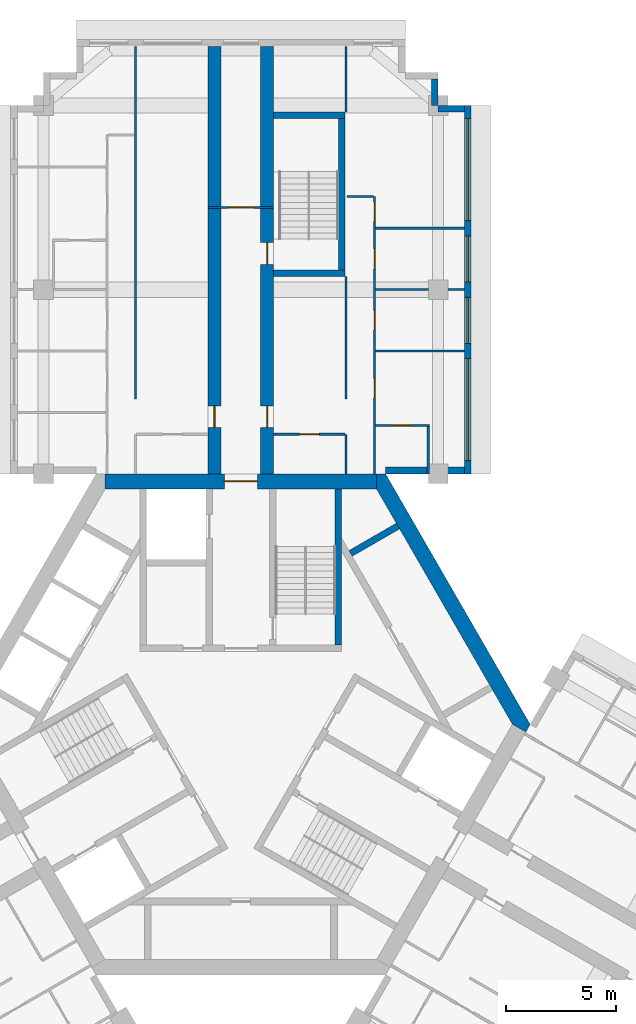
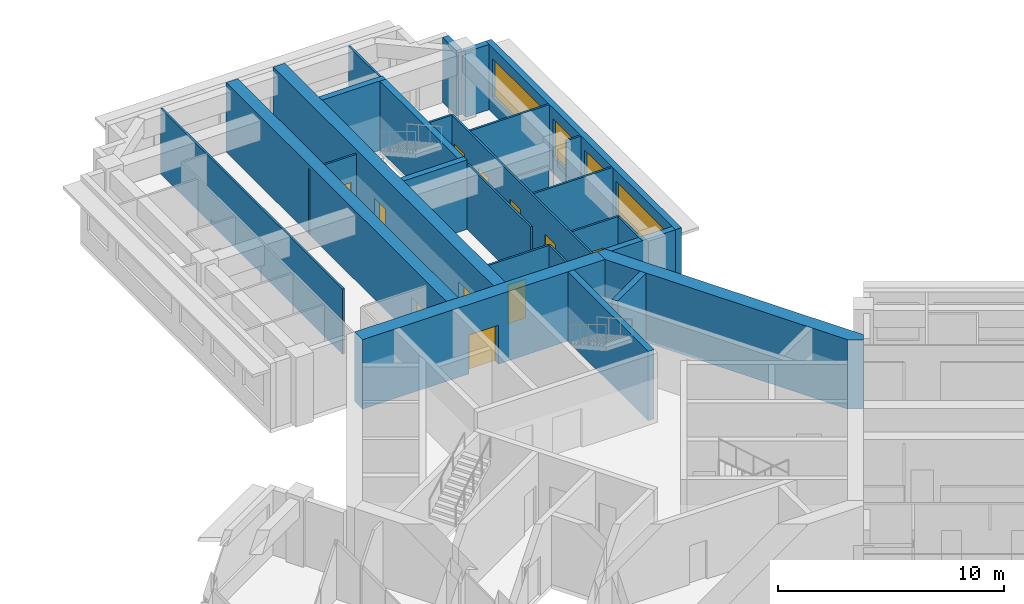
# One storey, part 8 of 11: 27 walls, 11 doors, 4 windows, 15 openings.
"""IFC4 building model written with IfcOpenShell, lengths in metres."""

from ifc_helpers import new_model, si_unit, direction, frame, frame_2d, origin, place, context, subcontext, project, spatial, polyline, rectangle, outline, extrude, material, layer, layer_set, type_object, element, fill, save


model = new_model("IFC4")

# Units and contexts
model_context = context("Model", 3, precision=1e-05, world=origin(), true_north=direction((0.0, 1.0)))
body_context = subcontext(model_context, "Body", "Model", "MODEL_VIEW")
ifc_project = project(units=[si_unit("LENGTHUNIT", "METRE"), si_unit("AREAUNIT", "SQUARE_METRE"), si_unit("VOLUMEUNIT", "CUBIC_METRE"), si_unit("PLANEANGLEUNIT", "RADIAN"), si_unit("MASSUNIT", "GRAM", prefix="KILO")], contexts=[model_context])

# Site, building, storey
site_placement = place(None, origin())
site = spatial("IfcSite", under=ifc_project, at=site_placement, CompositionType="ELEMENT")
building_placement = place(site_placement, origin())
building = spatial("IfcBuilding", under=site, at=building_placement, Name="Impinga Residences", CompositionType="ELEMENT")
storey_placement = place(building_placement, frame((0.0, 0.0, 199.75)))
storey = spatial("IfcBuildingStorey", under=building, at=storey_placement, Name="L49", CompositionType="ELEMENT", Elevation=199.75)

# Wall, opening, door
ifc_material_1 = material(Name="Concrete C60/75", Category="concrete")
ifc_layer_1 = layer(ifc_material_1, 0.60009765625)
ifc_layer_set_1 = layer_set([ifc_layer_1], Name="Concrete C60/75")
wall_type_1 = type_object("IfcWallType", Name="BW3 corridor buttress wall, L46 to L73 600", PredefinedType="SHEAR", material=ifc_layer_set_1)
wall_1_placement = place(storey_placement, frame((-1.199951171875, 11.08154296875, 0.0), z_axis=(0.0, 0.0, 1.0), x_axis=(0.0, 1.0, 0.0)))
wall_1 = element("IfcWall", 1, at=wall_1_placement, inside=storey, type_object=wall_type_1, Name="Corridor wall BW3 NC L49", PredefinedType="SHEAR", context=body_context, shape_type="SweptSolid", body=[
    extrude(rectangle(XDim=19.85009765625, YDim=0.60009765625, at=frame_2d((9.925048828125, 0.0))), origin(), (0.0, 0.0, 1.0), 3.75),
])
opening_1_placement = place(wall_1_placement, frame((2.449951171875, 0.0, 0.0)))
opening_1 = element("IfcOpeningElement", 2, at=opening_1_placement, cuts=wall_1, Name="Opening D1", PredefinedType="OPENING", context=body_context, shape_type="SweptSolid", body=[
    extrude(rectangle(XDim=1.0, YDim=2.10009765625, at=frame_2d((0.5, 1.050048828125))), frame((0.0, 0.31005859375, 0.0), z_axis=(0.0, -1.0, 0.0), x_axis=(1.0, 0.0, 0.0)), (0.0, 0.0, 1.0), 0.6201171875),
])
ifc_material_2 = material(Name="Timber door set", Category="wood")
door_type_1 = type_object("IfcDoorType", Name="D1 apartment entrance door 1000x2100", OperationType="SINGLE_SWING_LEFT", PredefinedType="DOOR", material=ifc_material_2)
door_1_placement = place(opening_1_placement, origin())
door_1 = element("IfcDoor", 3, at=door_1_placement, inside=storey, type_object=door_type_1, Name="Apartment L49-NA1 entrance", OperationType="SINGLE_SWING_LEFT", OverallHeight=2.10009765625, OverallWidth=1.0, PredefinedType="DOOR", context=body_context, shape_type="SweptSolid", body=[
    extrude(rectangle(XDim=1.0, YDim=2.10009765625, at=frame_2d((0.5, 1.050048828125))), frame((0.0, 0.02490234375, 0.0), z_axis=(0.0, -1.0, 0.0), x_axis=(1.0, 0.0, 0.0)), (0.0, 0.0, 1.0), 0.050048828125),
])
fill(opening_1, door_1)

# Wall, openings, doors
wall_2_placement = place(storey_placement, frame((1.199951171875, 11.08154296875, 0.0), z_axis=(0.0, 0.0, 1.0), x_axis=(0.0, 1.0, 0.0)))
wall_2 = element("IfcWall", 4, at=wall_2_placement, inside=storey, type_object=wall_type_1, Name="Corridor wall BW3 ND L49", PredefinedType="SHEAR", context=body_context, shape_type="SweptSolid", body=[
    extrude(rectangle(XDim=19.85009765625, YDim=0.60009765625, at=frame_2d((9.925048828125, 0.0))), origin(), (0.0, 0.0, 1.0), 3.75),
])
opening_2_placement = place(wall_2_placement, frame((9.89990234375, 0.0, 0.0)))
opening_2 = element("IfcOpeningElement", 5, at=opening_2_placement, cuts=wall_2, Name="Opening D5", PredefinedType="OPENING", context=body_context, shape_type="SweptSolid", body=[
    extrude(rectangle(XDim=1.0, YDim=2.10009765625, at=frame_2d((0.5, 1.050048828125))), frame((0.0, 0.31005859375, 0.0), z_axis=(0.0, -1.0, 0.0), x_axis=(1.0, 0.0, 0.0)), (0.0, 0.0, 1.0), 0.6201171875),
])
opening_3_placement = place(wall_2_placement, frame((2.449951171875, 0.0, 0.0)))
opening_3 = element("IfcOpeningElement", 6, at=opening_3_placement, cuts=wall_2, Name="Opening D1", PredefinedType="OPENING", context=body_context, shape_type="SweptSolid", body=[
    extrude(rectangle(XDim=1.0, YDim=2.10009765625, at=frame_2d((0.5, 1.050048828125))), frame((0.0, 0.31005859375, 0.0), z_axis=(0.0, -1.0, 0.0), x_axis=(1.0, 0.0, 0.0)), (0.0, 0.0, 1.0), 0.6201171875),
])
door_2_placement = place(opening_3_placement, origin())
door_2 = element("IfcDoor", 7, at=door_2_placement, inside=storey, type_object=door_type_1, Name="Apartment L49-NF1 entrance", OperationType="SINGLE_SWING_LEFT", OverallHeight=2.10009765625, OverallWidth=1.0, PredefinedType="DOOR", context=body_context, shape_type="SweptSolid", body=[
    extrude(rectangle(XDim=1.0, YDim=2.10009765625, at=frame_2d((0.5, 1.050048828125))), frame((0.0, 0.02490234375, 0.0), z_axis=(0.0, -1.0, 0.0), x_axis=(1.0, 0.0, 0.0)), (0.0, 0.0, 1.0), 0.050048828125),
])
fill(opening_3, door_2)
door_type_2 = type_object("IfcDoorType", Name="D5 stair door 1000x2100", OperationType="SINGLE_SWING_LEFT", PredefinedType="DOOR", material=ifc_material_2)
door_3_placement = place(opening_2_placement, origin())
door_3 = element("IfcDoor", 8, at=door_3_placement, inside=storey, type_object=door_type_2, Name="Wing stair door N", OperationType="SINGLE_SWING_RIGHT", OverallHeight=2.10009765625, OverallWidth=1.0, PredefinedType="DOOR", context=body_context, shape_type="SweptSolid", body=[
    extrude(rectangle(XDim=1.0, YDim=2.10009765625, at=frame_2d((0.5, 1.050048828125))), frame((0.0, 0.02490234375, 0.0), z_axis=(0.0, -1.0, 0.0), x_axis=(1.0, 0.0, 0.0)), (0.0, 0.0, 1.0), 0.050048828125),
])
fill(opening_2, door_3)

# Wall, opening, door
ifc_material_3 = material(Name="Concrete blockwork", Category="masonry")
ifc_layer_2 = layer(ifc_material_3, 0.10009765625)
ifc_layer_set_2 = layer_set([ifc_layer_2], Name="CP1 core room partition, blockwork 100")
wall_type_2 = type_object("IfcWallType", Name="CP1 core room partition, blockwork 100", PredefinedType="PARTITIONING", material=ifc_layer_set_2)
wall_3_placement = place(storey_placement, frame((-1.5, 23.58154296875, 0.0), z_axis=(0.0, 0.0, 1.0), x_axis=(1.0, 0.0, 0.0)))
wall_3 = element("IfcWall", 9, at=wall_3_placement, inside=storey, type_object=wall_type_2, Name="Core room partition, blockwork L49:N:LNG", PredefinedType="PARTITIONING", context=body_context, shape_type="SweptSolid", body=[
    extrude(rectangle(XDim=3.0, YDim=0.10009765625, at=frame_2d((1.5, 0.0))), origin(), (0.0, 0.0, 1.0), 3.530029296875),
])
opening_4_placement = place(wall_3_placement, frame((0.89990234375, 0.0, 0.0)))
opening_4 = element("IfcOpeningElement", 10, at=opening_4_placement, cuts=wall_3, Name="Opening D3", PredefinedType="OPENING", context=body_context, shape_type="SweptSolid", body=[
    extrude(rectangle(XDim=1.199951171875, YDim=2.10009765625, at=frame_2d((0.60009765625, 1.050048828125))), frame((0.0, 0.06005859375, 0.0), z_axis=(0.0, -1.0, 0.0), x_axis=(1.0, 0.0, 0.0)), (0.0, 0.0, 1.0), 0.1201171875),
])
door_type_3 = type_object("IfcDoorType", Name="D3 room door, leaf and a half 1200x2100", OperationType="DOUBLE_SWING_LEFT", PredefinedType="DOOR", material=ifc_material_2)
door_4_placement = place(opening_4_placement, origin())
door_4 = element("IfcDoor", 11, at=door_4_placement, inside=storey, type_object=door_type_3, Name="Residents' lounge door N", OperationType="DOUBLE_SWING_LEFT", OverallHeight=2.10009765625, OverallWidth=1.199951171875, PredefinedType="DOOR", context=body_context, shape_type="SweptSolid", body=[
    extrude(rectangle(XDim=1.199951171875, YDim=2.10009765625, at=frame_2d((0.60009765625, 1.050048828125))), frame((0.0, 0.02490234375, 0.0), z_axis=(0.0, -1.0, 0.0), x_axis=(1.0, 0.0, 0.0)), (0.0, 0.0, 1.0), 0.050048828125),
])
fill(opening_4, door_4)

# Walls
ifc_material_4 = material(Name="Terracotta rainscreen on blockwork", Category="masonry")
ifc_layer_3 = layer(ifc_material_4, 0.300048828125)
ifc_layer_set_3 = layer_set([ifc_layer_3], Name="EW1 external wall, terracotta rainscreen on blockwork 300")
wall_type_3 = type_object("IfcWallType", Name="EW1 external wall, terracotta rainscreen on blockwork 300", PredefinedType="SOLIDWALL", material=ifc_layer_set_3)
wall_4_placement = place(storey_placement, frame((8.85009765625, 29.431640625, 0.0), z_axis=(0.0, 0.0, 1.0), x_axis=(0.0, -1.0, 0.0)))
element("IfcWall", 12, at=wall_4_placement, inside=storey, type_object=wall_type_3, Name="External wall EW1 L49", PredefinedType="SOLIDWALL", context=body_context, shape_type="SweptSolid", body=[
    extrude(rectangle(XDim=1.2001953125, YDim=0.300048828125, at=frame_2d((0.60009765625, 0.0))), origin(), (0.0, 0.0, 1.0), 3.530029296875),
])
wall_5_placement = place(storey_placement, frame((9.0048828125, 28.08154296875, 0.0), z_axis=(0.0, 0.0, 1.0), x_axis=(1.0, 0.0, 0.0)))
element("IfcWall", 13, at=wall_5_placement, inside=storey, type_object=wall_type_3, Name="External wall EW1 L49", PredefinedType="SOLIDWALL", context=body_context, shape_type="SweptSolid", body=[
    extrude(rectangle(XDim=1.195068359375, YDim=0.300048828125, at=frame_2d((0.59765625, 0.0))), origin(), (0.0, 0.0, 1.0), 3.530029296875),
])

# Wall, openings, windows
wall_6_placement = place(storey_placement, frame((10.35009765625, 28.2314453125, 0.0), z_axis=(0.0, 0.0, 1.0), x_axis=(0.0, -1.0, 0.0)))
wall_6 = element("IfcWall", 14, at=wall_6_placement, inside=storey, type_object=wall_type_3, Name="External wall EW1 L49", PredefinedType="SOLIDWALL", context=body_context, shape_type="SweptSolid", body=[
    extrude(rectangle(XDim=16.7998046875, YDim=0.300048828125, at=frame_2d((8.39990234375, 0.0))), origin(), (0.0, 0.0, 1.0), 3.530029296875),
])
opening_5_placement = place(wall_6_placement, frame((0.60009765625, 0.0, 0.89990234375)))
opening_5 = element("IfcOpeningElement", 15, at=opening_5_placement, cuts=wall_6, Name="Opening W10", PredefinedType="OPENING", context=body_context, shape_type="SweptSolid", body=[
    extrude(rectangle(XDim=4.64990234375, YDim=2.050048828125, at=frame_2d((2.324951171875, 1.02490234375))), frame((0.0, 0.159912109375, 0.0), z_axis=(0.0, -1.0, 0.0), x_axis=(1.0, 0.0, 0.0)), (0.0, 0.0, 1.0), 0.320068359375),
])
opening_6_placement = place(wall_6_placement, frame((5.949951171875, 0.0, 0.89990234375)))
opening_6 = element("IfcOpeningElement", 16, at=opening_6_placement, cuts=wall_6, Name="Opening W9", PredefinedType="OPENING", context=body_context, shape_type="SweptSolid", body=[
    extrude(rectangle(XDim=2.10009765625, YDim=2.050048828125, at=frame_2d((1.050048828125, 1.02490234375))), frame((0.0, 0.159912109375, 0.0), z_axis=(0.0, -1.0, 0.0), x_axis=(1.0, 0.0, 0.0)), (0.0, 0.0, 1.0), 0.320068359375),
])
opening_7_placement = place(wall_6_placement, frame((8.75, 0.0, 0.89990234375)))
opening_7 = element("IfcOpeningElement", 17, at=opening_7_placement, cuts=wall_6, Name="Opening W9", PredefinedType="OPENING", context=body_context, shape_type="SweptSolid", body=[
    extrude(rectangle(XDim=2.10009765625, YDim=2.050048828125, at=frame_2d((1.050048828125, 1.02490234375))), frame((0.0, 0.159912109375, 0.0), z_axis=(0.0, -1.0, 0.0), x_axis=(1.0, 0.0, 0.0)), (0.0, 0.0, 1.0), 0.320068359375),
])
opening_8_placement = place(wall_6_placement, frame((11.550048828125, 0.0, 0.89990234375)))
opening_8 = element("IfcOpeningElement", 18, at=opening_8_placement, cuts=wall_6, Name="Opening W10", PredefinedType="OPENING", context=body_context, shape_type="SweptSolid", body=[
    extrude(rectangle(XDim=4.64990234375, YDim=2.050048828125, at=frame_2d((2.324951171875, 1.02490234375))), frame((0.0, 0.159912109375, 0.0), z_axis=(0.0, -1.0, 0.0), x_axis=(1.0, 0.0, 0.0)), (0.0, 0.0, 1.0), 0.320068359375),
])
ifc_material_5 = material(Name="Aluminium window, clear double glazing", Category="aluminium")
window_type_1 = type_object("IfcWindowType", Name="W10 ribbon window 4650x2050", PartitioningType="SINGLE_PANEL", PredefinedType="WINDOW", material=ifc_material_5)
window_1_placement = place(opening_5_placement, origin())
window_1 = element("IfcWindow", 19, at=window_1_placement, inside=storey, type_object=window_type_1, Name="Window L49", OverallHeight=2.050048828125, OverallWidth=4.64990234375, PartitioningType="SINGLE_PANEL", PredefinedType="WINDOW", context=body_context, shape_type="SweptSolid", body=[
    extrude(rectangle(XDim=4.64990234375, YDim=2.050048828125, at=frame_2d((2.324951171875, 1.02490234375))), frame((0.0, 0.030029296875, 0.0), z_axis=(0.0, -1.0, 0.0), x_axis=(1.0, 0.0, 0.0)), (0.0, 0.0, 1.0), 0.06005859375),
])
fill(opening_5, window_1)
window_2_placement = place(opening_8_placement, origin())
window_2 = element("IfcWindow", 20, at=window_2_placement, inside=storey, type_object=window_type_1, Name="Window L49", OverallHeight=2.050048828125, OverallWidth=4.64990234375, PartitioningType="SINGLE_PANEL", PredefinedType="WINDOW", context=body_context, shape_type="SweptSolid", body=[
    extrude(rectangle(XDim=4.64990234375, YDim=2.050048828125, at=frame_2d((2.324951171875, 1.02490234375))), frame((0.0, 0.030029296875, 0.0), z_axis=(0.0, -1.0, 0.0), x_axis=(1.0, 0.0, 0.0)), (0.0, 0.0, 1.0), 0.06005859375),
])
fill(opening_8, window_2)
window_type_2 = type_object("IfcWindowType", Name="W9 ribbon window 2100x2050", PartitioningType="SINGLE_PANEL", PredefinedType="WINDOW", material=ifc_material_5)
window_3_placement = place(opening_6_placement, origin())
window_3 = element("IfcWindow", 21, at=window_3_placement, inside=storey, type_object=window_type_2, Name="Window L49", OverallHeight=2.050048828125, OverallWidth=2.10009765625, PartitioningType="SINGLE_PANEL", PredefinedType="WINDOW", context=body_context, shape_type="SweptSolid", body=[
    extrude(rectangle(XDim=2.10009765625, YDim=2.050048828125, at=frame_2d((1.050048828125, 1.02490234375))), frame((0.0, 0.030029296875, 0.0), z_axis=(0.0, -1.0, 0.0), x_axis=(1.0, 0.0, 0.0)), (0.0, 0.0, 1.0), 0.06005859375),
])
fill(opening_6, window_3)
window_4_placement = place(opening_7_placement, origin())
window_4 = element("IfcWindow", 22, at=window_4_placement, inside=storey, type_object=window_type_2, Name="Window L49", OverallHeight=2.050048828125, OverallWidth=2.10009765625, PartitioningType="SINGLE_PANEL", PredefinedType="WINDOW", context=body_context, shape_type="SweptSolid", body=[
    extrude(rectangle(XDim=2.10009765625, YDim=2.050048828125, at=frame_2d((1.050048828125, 1.02490234375))), frame((0.0, 0.030029296875, 0.0), z_axis=(0.0, -1.0, 0.0), x_axis=(1.0, 0.0, 0.0)), (0.0, 0.0, 1.0), 0.06005859375),
])
fill(opening_7, window_4)

# Walls
wall_7_placement = place(storey_placement, frame((10.199951171875, 11.58154296875, 0.0), z_axis=(0.0, 0.0, 1.0), x_axis=(-1.0, 0.0, 0.0)))
element("IfcWall", 23, at=wall_7_placement, inside=storey, type_object=wall_type_3, Name="External wall EW1 L49", PredefinedType="SOLIDWALL", context=body_context, shape_type="SweptSolid", body=[
    extrude(rectangle(XDim=3.599853515625, YDim=0.300048828125, at=frame_2d((1.7998046875, 0.0))), origin(), (0.0, 0.0, 1.0), 3.530029296875),
])
ifc_material_6 = material(Name="Gypsum board on steel studs", Category="steel")
ifc_layer_4 = layer(ifc_material_6, 0.10009765625)
ifc_layer_set_4 = layer_set([ifc_layer_4], Name="Gypsum board on steel studs")
wall_type_4 = type_object("IfcWallType", Name="IP1 partition 100", PredefinedType="PARTITIONING", material=ifc_layer_set_4)
wall_8_placement = place(storey_placement, frame((-4.800048828125, 14.83154296875, 0.0), z_axis=(0.0, 0.0, 1.0), x_axis=(0.0, 1.0, 0.0)))
element("IfcWall", 24, at=wall_8_placement, inside=storey, type_object=wall_type_4, Name="Partition L49-NA1:DIV1", PredefinedType="PARTITIONING", context=body_context, shape_type="SweptSolid", body=[
    extrude(rectangle(XDim=16.10009765625, YDim=0.10009765625, at=frame_2d((8.050048828125, 0.0))), origin(), (0.0, 0.0, 1.0), 3.530029296875),
])
wall_9_placement = place(storey_placement, frame((4.800048828125, 11.431640625, 0.0), z_axis=(0.0, 0.0, 1.0), x_axis=(0.0, 1.0, 0.0)))
element("IfcWall", 25, at=wall_9_placement, inside=storey, type_object=wall_type_4, Name="Partition L49-NF1:DIV0", PredefinedType="PARTITIONING", context=body_context, shape_type="SweptSolid", body=[
    extrude(rectangle(XDim=1.7998046875, YDim=0.10009765625, at=frame_2d((0.89990234375, 0.0))), origin(), (0.0, 0.0, 1.0), 3.530029296875),
])
wall_10_placement = place(storey_placement, frame((4.800048828125, 14.83154296875, 0.0), z_axis=(0.0, 0.0, 1.0), x_axis=(0.0, 1.0, 0.0)))
element("IfcWall", 26, at=wall_10_placement, inside=storey, type_object=wall_type_4, Name="Partition L49-NF1:DIV1", PredefinedType="PARTITIONING", context=body_context, shape_type="SweptSolid", body=[
    extrude(rectangle(XDim=5.60009765625, YDim=0.10009765625, at=frame_2d((2.800048828125, 0.0))), origin(), (0.0, 0.0, 1.0), 3.530029296875),
])
wall_11_placement = place(storey_placement, frame((4.800048828125, 27.931640625, 0.0), z_axis=(0.0, 0.0, 1.0), x_axis=(0.0, 1.0, 0.0)))
element("IfcWall", 27, at=wall_11_placement, inside=storey, type_object=wall_type_4, Name="Partition L49-NF1:DIV2", PredefinedType="PARTITIONING", context=body_context, shape_type="SweptSolid", body=[
    extrude(rectangle(XDim=3.0, YDim=0.10009765625, at=frame_2d((1.5, 0.0))), origin(), (0.0, 0.0, 1.0), 3.530029296875),
])

# Wall, openings, doors
wall_12_placement = place(storey_placement, frame((6.10009765625, 11.431640625, 0.0), z_axis=(0.0, 0.0, 1.0), x_axis=(0.0, 1.0, 0.0)))
wall_12 = element("IfcWall", 28, at=wall_12_placement, inside=storey, type_object=wall_type_4, Name="Partition L49-NF1:STRIP", PredefinedType="PARTITIONING", context=body_context, shape_type="SweptSolid", body=[
    extrude(rectangle(XDim=12.64990234375, YDim=0.10009765625, at=frame_2d((6.324951171875, 0.0))), origin(), (0.0, 0.0, 1.0), 3.530029296875),
])
opening_9_placement = place(wall_12_placement, frame((3.449951171875, 0.0, 0.0)))
opening_9 = element("IfcOpeningElement", 29, at=opening_9_placement, cuts=wall_12, Name="Opening D2", PredefinedType="OPENING", context=body_context, shape_type="SweptSolid", body=[
    extrude(rectangle(XDim=0.89990234375, YDim=2.10009765625, at=frame_2d((0.449951171875, 1.050048828125))), frame((0.0, 0.06005859375, 0.0), z_axis=(0.0, -1.0, 0.0), x_axis=(1.0, 0.0, 0.0)), (0.0, 0.0, 1.0), 0.1201171875),
])
opening_10_placement = place(wall_12_placement, frame((6.550048828125, 0.0, 0.0)))
opening_10 = element("IfcOpeningElement", 30, at=opening_10_placement, cuts=wall_12, Name="Opening D2", PredefinedType="OPENING", context=body_context, shape_type="SweptSolid", body=[
    extrude(rectangle(XDim=0.89990234375, YDim=2.10009765625, at=frame_2d((0.449951171875, 1.050048828125))), frame((0.0, 0.06005859375, 0.0), z_axis=(0.0, -1.0, 0.0), x_axis=(1.0, 0.0, 0.0)), (0.0, 0.0, 1.0), 0.1201171875),
])
opening_11_placement = place(wall_12_placement, frame((9.35009765625, 0.0, 0.0)))
opening_11 = element("IfcOpeningElement", 31, at=opening_11_placement, cuts=wall_12, Name="Opening D2", PredefinedType="OPENING", context=body_context, shape_type="SweptSolid", body=[
    extrude(rectangle(XDim=0.89990234375, YDim=2.10009765625, at=frame_2d((0.449951171875, 1.050048828125))), frame((0.0, 0.06005859375, 0.0), z_axis=(0.0, -1.0, 0.0), x_axis=(1.0, 0.0, 0.0)), (0.0, 0.0, 1.0), 0.1201171875),
])
opening_12_placement = place(wall_12_placement, frame((11.5, 0.0, 0.0)))
opening_12 = element("IfcOpeningElement", 32, at=opening_12_placement, cuts=wall_12, Name="Opening D2", PredefinedType="OPENING", context=body_context, shape_type="SweptSolid", body=[
    extrude(rectangle(XDim=0.89990234375, YDim=2.10009765625, at=frame_2d((0.449951171875, 1.050048828125))), frame((0.0, 0.06005859375, 0.0), z_axis=(0.0, -1.0, 0.0), x_axis=(1.0, 0.0, 0.0)), (0.0, 0.0, 1.0), 0.1201171875),
])
door_type_4 = type_object("IfcDoorType", Name="D2 internal door 900x2100", OperationType="SINGLE_SWING_LEFT", PredefinedType="DOOR", material=ifc_material_2)
door_5_placement = place(opening_9_placement, origin())
door_5 = element("IfcDoor", 33, at=door_5_placement, inside=storey, type_object=door_type_4, Name="Apartment L49-NF1 room door", OperationType="SINGLE_SWING_LEFT", OverallHeight=2.10009765625, OverallWidth=0.89990234375, PredefinedType="DOOR", context=body_context, shape_type="SweptSolid", body=[
    extrude(rectangle(XDim=0.89990234375, YDim=2.10009765625, at=frame_2d((0.449951171875, 1.050048828125))), frame((0.0, 0.02490234375, 0.0), z_axis=(0.0, -1.0, 0.0), x_axis=(1.0, 0.0, 0.0)), (0.0, 0.0, 1.0), 0.050048828125),
])
fill(opening_9, door_5)
door_6_placement = place(opening_10_placement, origin())
door_6 = element("IfcDoor", 34, at=door_6_placement, inside=storey, type_object=door_type_4, Name="Apartment L49-NF1 room door", OperationType="SINGLE_SWING_RIGHT", OverallHeight=2.10009765625, OverallWidth=0.89990234375, PredefinedType="DOOR", context=body_context, shape_type="SweptSolid", body=[
    extrude(rectangle(XDim=0.89990234375, YDim=2.10009765625, at=frame_2d((0.449951171875, 1.050048828125))), frame((0.0, 0.02490234375, 0.0), z_axis=(0.0, -1.0, 0.0), x_axis=(1.0, 0.0, 0.0)), (0.0, 0.0, 1.0), 0.050048828125),
])
fill(opening_10, door_6)
door_7_placement = place(opening_11_placement, origin())
door_7 = element("IfcDoor", 35, at=door_7_placement, inside=storey, type_object=door_type_4, Name="Apartment L49-NF1 room door", OperationType="SINGLE_SWING_RIGHT", OverallHeight=2.10009765625, OverallWidth=0.89990234375, PredefinedType="DOOR", context=body_context, shape_type="SweptSolid", body=[
    extrude(rectangle(XDim=0.89990234375, YDim=2.10009765625, at=frame_2d((0.449951171875, 1.050048828125))), frame((0.0, 0.02490234375, 0.0), z_axis=(0.0, -1.0, 0.0), x_axis=(1.0, 0.0, 0.0)), (0.0, 0.0, 1.0), 0.050048828125),
])
fill(opening_11, door_7)
door_8_placement = place(opening_12_placement, origin())
door_8 = element("IfcDoor", 36, at=door_8_placement, inside=storey, type_object=door_type_4, Name="Apartment L49-NF1 room door", OperationType="SINGLE_SWING_RIGHT", OverallHeight=2.10009765625, OverallWidth=0.89990234375, PredefinedType="DOOR", context=body_context, shape_type="SweptSolid", body=[
    extrude(rectangle(XDim=0.89990234375, YDim=2.10009765625, at=frame_2d((0.449951171875, 1.050048828125))), frame((0.0, 0.02490234375, 0.0), z_axis=(0.0, -1.0, 0.0), x_axis=(1.0, 0.0, 0.0)), (0.0, 0.0, 1.0), 0.050048828125),
])
fill(opening_12, door_8)

# Wall
wall_13_placement = place(storey_placement, frame((4.85009765625, 24.08154296875, 0.0), z_axis=(0.0, 0.0, 1.0), x_axis=(1.0, 0.0, 0.0)))
element("IfcWall", 37, at=wall_13_placement, inside=storey, type_object=wall_type_4, Name="Partition L49-NF1:SE1", PredefinedType="PARTITIONING", context=body_context, shape_type="SweptSolid", body=[
    extrude(rectangle(XDim=1.199951171875, YDim=0.10009765625, at=frame_2d((0.60009765625, 0.0))), origin(), (0.0, 0.0, 1.0), 3.530029296875),
])

# Wall, opening, door
wall_14_placement = place(storey_placement, frame((1.5, 13.2314453125, 0.0), z_axis=(0.0, 0.0, 1.0), x_axis=(1.0, 0.0, 0.0)))
wall_14 = element("IfcWall", 38, at=wall_14_placement, inside=storey, type_object=wall_type_4, Name="Partition L49-NF1:IB1", PredefinedType="PARTITIONING", context=body_context, shape_type="SweptSolid", body=[
    extrude(rectangle(XDim=3.25, YDim=0.10009765625, at=frame_2d((1.625, 0.0))), origin(), (0.0, 0.0, 1.0), 3.530029296875),
])
opening_13_placement = place(wall_14_placement, frame((1.175048828125, 0.0, 0.0)))
opening_13 = element("IfcOpeningElement", 39, at=opening_13_placement, cuts=wall_14, Name="Opening D2", PredefinedType="OPENING", context=body_context, shape_type="SweptSolid", body=[
    extrude(rectangle(XDim=0.89990234375, YDim=2.10009765625, at=frame_2d((0.449951171875, 1.050048828125))), frame((0.0, 0.06005859375, 0.0), z_axis=(0.0, -1.0, 0.0), x_axis=(1.0, 0.0, 0.0)), (0.0, 0.0, 1.0), 0.1201171875),
])
door_9_placement = place(opening_13_placement, origin())
door_9 = element("IfcDoor", 40, at=door_9_placement, inside=storey, type_object=door_type_4, Name="Apartment L49-NF1 bathroom door", OperationType="SINGLE_SWING_LEFT", OverallHeight=2.10009765625, OverallWidth=0.89990234375, PredefinedType="DOOR", context=body_context, shape_type="SweptSolid", body=[
    extrude(rectangle(XDim=0.89990234375, YDim=2.10009765625, at=frame_2d((0.449951171875, 1.050048828125))), frame((0.0, 0.02490234375, 0.0), z_axis=(0.0, -1.0, 0.0), x_axis=(1.0, 0.0, 0.0)), (0.0, 0.0, 1.0), 0.050048828125),
])
fill(opening_13, door_9)

# Walls
wall_15_placement = place(storey_placement, frame((6.14990234375, 17.031494140625, 0.0), z_axis=(0.0, 0.0, 1.0), x_axis=(1.0, 0.0, 0.0)))
element("IfcWall", 41, at=wall_15_placement, inside=storey, type_object=wall_type_4, Name="Partition L49-NF1:OB1", PredefinedType="PARTITIONING", context=body_context, shape_type="SweptSolid", body=[
    extrude(rectangle(XDim=4.050048828125, YDim=0.10009765625, at=frame_2d((2.02490234375, 0.0))), origin(), (0.0, 0.0, 1.0), 3.530029296875),
])
wall_16_placement = place(storey_placement, frame((6.14990234375, 19.83154296875, 0.0), z_axis=(0.0, 0.0, 1.0), x_axis=(1.0, 0.0, 0.0)))
element("IfcWall", 42, at=wall_16_placement, inside=storey, type_object=wall_type_4, Name="Partition L49-NF1:OB2", PredefinedType="PARTITIONING", context=body_context, shape_type="SweptSolid", body=[
    extrude(rectangle(XDim=2.400146484375, YDim=0.10009765625, at=frame_2d((1.2001953125, 0.0))), origin(), (0.0, 0.0, 1.0), 2.47998046875),
])
wall_17_placement = place(storey_placement, frame((9.449951171875, 19.83154296875, 0.0), z_axis=(0.0, 0.0, 1.0), x_axis=(1.0, 0.0, 0.0)))
element("IfcWall", 43, at=wall_17_placement, inside=storey, type_object=wall_type_4, Name="Partition L49-NF1:OB2b", PredefinedType="PARTITIONING", context=body_context, shape_type="SweptSolid", body=[
    extrude(rectangle(XDim=0.75, YDim=0.10009765625, at=frame_2d((0.375, 0.0))), origin(), (0.0, 0.0, 1.0), 3.530029296875),
])
wall_18_placement = place(storey_placement, frame((6.14990234375, 22.631591796875, 0.0), z_axis=(0.0, 0.0, 1.0), x_axis=(1.0, 0.0, 0.0)))
element("IfcWall", 44, at=wall_18_placement, inside=storey, type_object=wall_type_4, Name="Partition L49-NF1:OB3", PredefinedType="PARTITIONING", context=body_context, shape_type="SweptSolid", body=[
    extrude(rectangle(XDim=4.050048828125, YDim=0.10009765625, at=frame_2d((2.02490234375, 0.0))), origin(), (0.0, 0.0, 1.0), 3.530029296875),
])

# Wall, opening, door
wall_19_placement = place(storey_placement, frame((6.14990234375, 13.631591796875, 0.0), z_axis=(0.0, 0.0, 1.0), x_axis=(1.0, 0.0, 0.0)))
wall_19 = element("IfcWall", 45, at=wall_19_placement, inside=storey, type_object=wall_type_4, Name="Partition L49-NF1:EN1", PredefinedType="PARTITIONING", context=body_context, shape_type="SweptSolid", body=[
    extrude(rectangle(XDim=2.4501953125, YDim=0.10009765625, at=frame_2d((1.22509765625, 0.0))), origin(), (0.0, 0.0, 1.0), 3.530029296875),
])
opening_14_placement = place(wall_19_placement, frame((0.75, 0.0, 0.0)))
opening_14 = element("IfcOpeningElement", 46, at=opening_14_placement, cuts=wall_19, Name="Opening D2", PredefinedType="OPENING", context=body_context, shape_type="SweptSolid", body=[
    extrude(rectangle(XDim=0.89990234375, YDim=2.10009765625, at=frame_2d((0.449951171875, 1.050048828125))), frame((0.0, 0.06005859375, 0.0), z_axis=(0.0, -1.0, 0.0), x_axis=(1.0, 0.0, 0.0)), (0.0, 0.0, 1.0), 0.1201171875),
])
door_10_placement = place(opening_14_placement, origin())
door_10 = element("IfcDoor", 47, at=door_10_placement, inside=storey, type_object=door_type_4, Name="Apartment L49-NF1 en-suite door", OperationType="SINGLE_SWING_LEFT", OverallHeight=2.10009765625, OverallWidth=0.89990234375, PredefinedType="DOOR", context=body_context, shape_type="SweptSolid", body=[
    extrude(rectangle(XDim=0.89990234375, YDim=2.10009765625, at=frame_2d((0.449951171875, 1.050048828125))), frame((0.0, 0.02490234375, 0.0), z_axis=(0.0, -1.0, 0.0), x_axis=(1.0, 0.0, 0.0)), (0.0, 0.0, 1.0), 0.050048828125),
])
fill(opening_14, door_10)

# Walls
wall_20_placement = place(storey_placement, frame((8.550048828125, 11.431640625, 0.0), z_axis=(0.0, 0.0, 1.0), x_axis=(0.0, 1.0, 0.0)))
element("IfcWall", 48, at=wall_20_placement, inside=storey, type_object=wall_type_4, Name="Partition L49-NF1:EN2", PredefinedType="PARTITIONING", context=body_context, shape_type="SweptSolid", body=[
    extrude(rectangle(XDim=2.14990234375, YDim=0.10009765625, at=frame_2d((1.074951171875, 0.0))), origin(), (0.0, 0.0, 1.0), 3.530029296875),
])
ifc_layer_5 = layer(ifc_material_1, 0.300048828125)
ifc_layer_set_5 = layer_set([ifc_layer_5], Name="Concrete C60/75")
wall_type_5 = type_object("IfcWallType", Name="SE1 wing stair enclosure wall 300", PredefinedType="SOLIDWALL", material=ifc_layer_set_5)
for number, where, z_axis, x_axis, name in (
    (49, (1.5, 20.58154296875, 0.0), (0.0, 0.0, 1.0), (1.0, 0.0, 0.0), "Stair enclosure wall SE1 N END0 L49"),
    (50, (1.5, 27.781494140625, 0.0), (0.0, 0.0, 1.0), (1.0, 0.0, 0.0), "Stair enclosure wall SE1 N END1 L49"),
):
    element("IfcWall", number, at=place(storey_placement, frame(where, z_axis=z_axis, x_axis=x_axis)), inside=storey, type_object=wall_type_5, Name=name, PredefinedType="SOLIDWALL", context=body_context, shape_type="SweptSolid", body=[
        extrude(rectangle(XDim=3.25, YDim=0.300048828125, at=frame_2d((1.625, 0.0))), origin(), (0.0, 0.0, 1.0), 3.75),
    ])
wall_21_placement = place(storey_placement, frame((4.60009765625, 20.7314453125, 0.0), z_axis=(0.0, 0.0, 1.0), x_axis=(0.0, 1.0, 0.0)))
element("IfcWall", 51, at=wall_21_placement, inside=storey, type_object=wall_type_5, Name="Stair enclosure wall SE1 N OUT L49", PredefinedType="SOLIDWALL", context=body_context, shape_type="SweptSolid", body=[
    extrude(rectangle(XDim=6.900146484375, YDim=0.300048828125, at=frame_2d((3.4501953125, 0.0))), origin(), (0.0, 0.0, 1.0), 3.75),
])

# Wall, opening, door
ifc_layer_6 = layer(ifc_material_1, 0.699951171875)
ifc_layer_set_6 = layer_set([ifc_layer_6], Name="Concrete C60/75")
wall_type_6 = type_object("IfcWallType", Name="SW3 core wall 700", PredefinedType="SHEAR", material=ifc_layer_set_6)
wall_22_placement = place(storey_placement, frame((-6.19580078125, 11.08154296875, 0.0), z_axis=(0.0, 0.0, 1.0), x_axis=(1.0, 0.0, 0.0)))
wall_22 = element("IfcWall", 52, at=wall_22_placement, inside=storey, type_object=wall_type_6, Name="Core wall SW3 N:FACE L49", PredefinedType="SHEAR", context=body_context, shape_type="SweptSolid", body=[
    extrude(rectangle(XDim=12.3916015625, YDim=0.699951171875, at=frame_2d((6.19580078125, 0.0))), origin(), (0.0, 0.0, 1.0), 3.75),
])
opening_15_placement = place(wall_22_placement, frame((5.44580078125, 0.0, 0.0)))
opening_15 = element("IfcOpeningElement", 53, at=opening_15_placement, cuts=wall_22, Name="Opening D4", PredefinedType="OPENING", context=body_context, shape_type="SweptSolid", body=[
    extrude(rectangle(XDim=1.5, YDim=2.10009765625, at=frame_2d((0.75, 1.050048828125))), frame((0.0, 0.35986328125, 0.0), z_axis=(0.0, -1.0, 0.0), x_axis=(1.0, 0.0, 0.0)), (0.0, 0.0, 1.0), 0.719970703125),
])
door_type_5 = type_object("IfcDoorType", Name="D4 lobby door pair 1500x2100", OperationType="DOUBLE_DOOR_DOUBLE_SWING", PredefinedType="DOOR", material=ifc_material_2)
door_11_placement = place(opening_15_placement, origin())
door_11 = element("IfcDoor", 54, at=door_11_placement, inside=storey, type_object=door_type_5, Name="Lobby door N", OperationType="DOUBLE_DOOR_DOUBLE_SWING", OverallHeight=2.10009765625, OverallWidth=1.5, PredefinedType="DOOR", context=body_context, shape_type="SweptSolid", body=[
    extrude(rectangle(XDim=1.5, YDim=2.10009765625, at=frame_2d((0.75, 1.050048828125))), frame((0.0, 0.02490234375, 0.0), z_axis=(0.0, -1.0, 0.0), x_axis=(1.0, 0.0, 0.0)), (0.0, 0.0, 1.0), 0.050048828125),
])
fill(opening_15, door_11)

# Walls
wall_23_placement = place(storey_placement, origin())
element("IfcWall", 55, at=wall_23_placement, inside=storey, type_object=wall_type_6, Name="Core wall SW3 W:EXPOSED L49", PredefinedType="SHEAR", context=body_context, shape_type="SweptSolid", body=[
    extrude(outline(polyline([(13.199951171875, 0.0), (6.60009765625, 11.431640625), (6.19580078125, 11.431640625), (6.19580078125, 10.7314453125), (12.3916015625, 0.0), (12.998046875, -0.35009765625), (13.199951171875, 0.0)])), origin(), (0.0, 0.0, 1.0), 3.75),
])
ifc_material_7 = material(Name="Concrete C70/85", Category="concrete")
ifc_layer_7 = layer(ifc_material_7, 0.300048828125)
ifc_layer_set_7 = layer_set([ifc_layer_7], Name="Concrete C70/85")
wall_type_7 = type_object("IfcWallType", Name="SW5 core inner wall, stairs, shafts and lobbies 300", PredefinedType="SHEAR", material=ifc_layer_set_7)
wall_24_placement = place(storey_placement, frame((4.449951171875, 3.6298828125, 0.0), z_axis=(0.0, 0.0, 1.0), x_axis=(0.0, 1.0, 0.0)))
element("IfcWall", 56, at=wall_24_placement, inside=storey, type_object=wall_type_7, Name="Core wall SW5 N:ST-OUT L49", PredefinedType="SHEAR", context=body_context, shape_type="SweptSolid", body=[
    extrude(rectangle(XDim=7.1015625, YDim=0.300048828125, at=frame_2d((3.55078125, 0.0))), origin(), (0.0, 0.0, 1.0), 3.75),
])
wall_25_placement = place(storey_placement, frame((5.003662109375, 7.79638671875, 0.0), z_axis=(0.0, 0.0, 1.0), x_axis=(0.866022959057, 0.500004234368, 0.0)))
element("IfcWall", 57, at=wall_25_placement, inside=storey, type_object=wall_type_7, Name="Core wall SW5 W:BANK-L L49", PredefinedType="SHEAR", context=body_context, shape_type="SweptSolid", body=[
    extrude(rectangle(XDim=2.5, YDim=0.300048828125, at=frame_2d((1.25, 0.0))), origin(), (0.0, 0.0, 1.0), 3.75),
])

save(model, "model.ifc")
